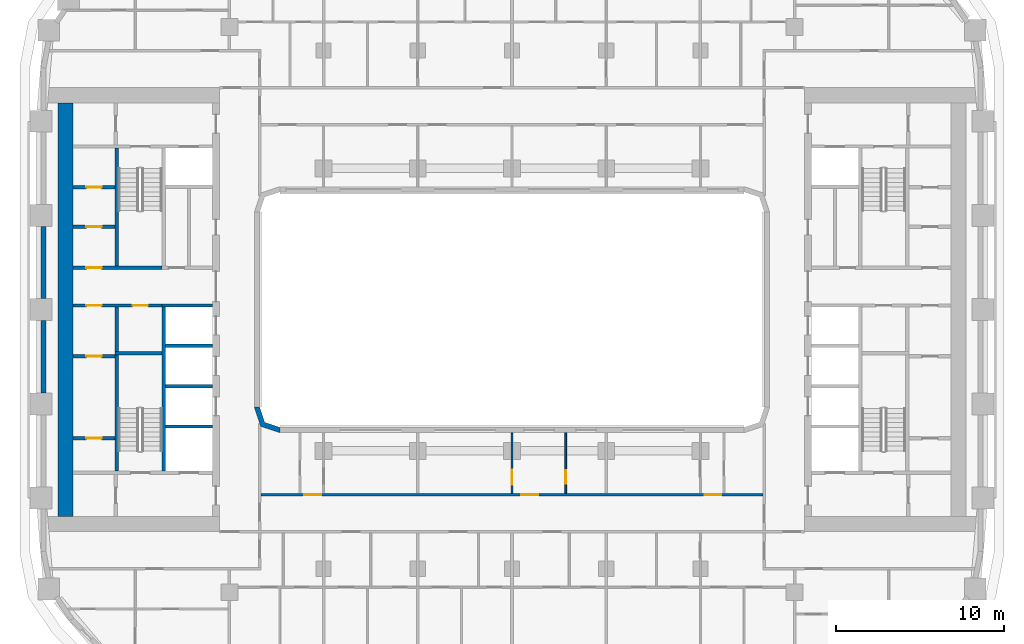
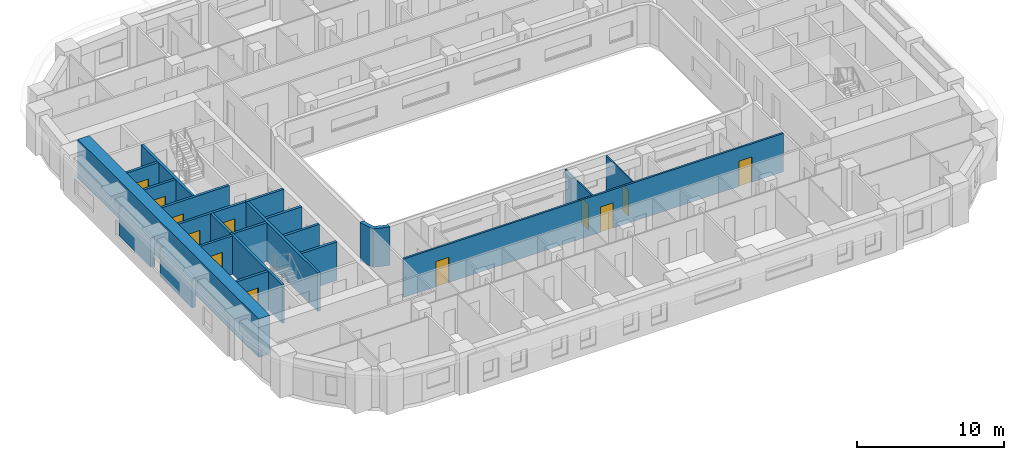
# One storey, part 4 of 22: 22 walls, 12 doors, 12 openings.
"""IFC4 building model written with IfcOpenShell, lengths in metres."""

from ifc_helpers import new_model, si_unit, direction, frame, frame_2d, origin, place, context, subcontext, project, spatial, polyline, rectangle, outline, extrude, material, layer, layer_set, type_object, element, fill, save


model = new_model("IFC4")

# Units and contexts
model_context = context("Model", 3, precision=1e-05, world=origin(), true_north=direction((0.0, 1.0)))
body_context = subcontext(model_context, "Body", "Model", "MODEL_VIEW")
ifc_project = project(units=[si_unit("LENGTHUNIT", "METRE"), si_unit("AREAUNIT", "SQUARE_METRE"), si_unit("VOLUMEUNIT", "CUBIC_METRE"), si_unit("PLANEANGLEUNIT", "RADIAN"), si_unit("MASSUNIT", "GRAM", prefix="KILO")], contexts=[model_context])

# Site, building, storey
site_placement = place(None, origin())
site = spatial("IfcSite", under=ifc_project, at=site_placement, CompositionType="ELEMENT")
building_placement = place(site_placement, origin())
building = spatial("IfcBuilding", under=site, at=building_placement, Name="Kiln Ring Residences", CompositionType="ELEMENT")
storey_placement = place(building_placement, frame((0.0, 0.0, 90.300048828125)))
storey = spatial("IfcBuildingStorey", under=building, at=storey_placement, Name="L22", CompositionType="ELEMENT", Elevation=90.300048828125)

# Wall
ifc_material_1 = material(Name="Gypsum board on steel studs", Category="steel")
ifc_layer_1 = layer(ifc_material_1, 0.199951171875)
ifc_layer_set_1 = layer_set([ifc_layer_1], Name="CORE-PARTITION-200")
wall_type_1 = type_object("IfcWallType", Name="CORE-PARTITION-200", PredefinedType="PARTITIONING", material=ifc_layer_set_1)
wall_1_placement = place(storey_placement, frame((-23.5, -2.5, 0.0), z_axis=(0.0, 0.0, 1.0), x_axis=(0.0, 1.0, 0.0)))
element("IfcWall", 1, at=wall_1_placement, inside=storey, type_object=wall_type_1, Name="Core partition west L22 1", PredefinedType="PARTITIONING", context=body_context, shape_type="SweptSolid", body=[
    extrude(rectangle(XDim=2.64990234375, YDim=0.199951171875, at=frame_2d((1.324951171875, 0.0))), origin(), (0.0, 0.0, 1.0), 3.199951171875),
])

# Wall, openings, doors
wall_2_placement = place(storey_placement, frame((-20.800048828125, 0.25, 0.0), z_axis=(0.0, 0.0, 1.0), x_axis=(-1.0, 0.0, 0.0)))
wall_2 = element("IfcWall", 2, at=wall_2_placement, inside=storey, type_object=wall_type_1, Name="Core partition west L22 2", PredefinedType="PARTITIONING", context=body_context, shape_type="SweptSolid", body=[
    extrude(rectangle(XDim=5.300048828125, YDim=0.199951171875, at=frame_2d((2.64990234375, 0.0))), origin(), (0.0, 0.0, 1.0), 3.199951171875),
])
opening_1_placement = place(wall_2_placement, frame((0.85009765625, 0.0, 0.0)))
opening_1 = element("IfcOpeningElement", 3, at=opening_1_placement, cuts=wall_2, Name="Opening L22-CW15", PredefinedType="OPENING", context=body_context, shape_type="SweptSolid", body=[
    extrude(rectangle(XDim=0.89990234375, YDim=2.10009765625, at=frame_2d((0.449951171875, 1.050048828125))), frame((0.0, 0.10986328125, 0.0), z_axis=(0.0, -1.0, 0.0), x_axis=(1.0, 0.0, 0.0)), (0.0, 0.0, 1.0), 0.219970703125),
])
opening_2_placement = place(wall_2_placement, frame((3.60009765625, 0.0, 0.0)))
opening_2 = element("IfcOpeningElement", 4, at=opening_2_placement, cuts=wall_2, Name="Opening L22-CW18", PredefinedType="OPENING", context=body_context, shape_type="SweptSolid", body=[
    extrude(rectangle(XDim=0.89990234375, YDim=2.10009765625, at=frame_2d((0.449951171875, 1.050048828125))), frame((0.0, 0.10986328125, 0.0), z_axis=(0.0, -1.0, 0.0), x_axis=(1.0, 0.0, 0.0)), (0.0, 0.0, 1.0), 0.219970703125),
])
ifc_material_2 = material(Name="Steel door leaf", Category="steel")
door_type_1 = type_object("IfcDoorType", Name="CORE-DOOR-ROOM", OperationType="SINGLE_SWING_LEFT", PredefinedType="DOOR", material=ifc_material_2)
door_1_placement = place(opening_1_placement, origin())
door_1 = element("IfcDoor", 5, at=door_1_placement, inside=storey, type_object=door_type_1, Name="Cleaner's store L22-CW15", OperationType="SINGLE_SWING_LEFT", OverallHeight=2.10009765625, OverallWidth=0.89990234375, PredefinedType="DOOR", context=body_context, shape_type="SweptSolid", body=[
    extrude(rectangle(XDim=0.89990234375, YDim=2.10009765625, at=frame_2d((0.449951171875, 1.050048828125))), frame((0.0, 0.02490234375, 0.0), z_axis=(0.0, -1.0, 0.0), x_axis=(1.0, 0.0, 0.0)), (0.0, 0.0, 1.0), 0.050048828125),
])
fill(opening_1, door_1)
door_2_placement = place(opening_2_placement, origin())
door_2 = element("IfcDoor", 6, at=door_2_placement, inside=storey, type_object=door_type_1, Name="Battery room L22-CW18", OperationType="SINGLE_SWING_RIGHT", OverallHeight=2.10009765625, OverallWidth=0.89990234375, PredefinedType="DOOR", context=body_context, shape_type="SweptSolid", body=[
    extrude(rectangle(XDim=0.89990234375, YDim=2.10009765625, at=frame_2d((0.449951171875, 1.050048828125))), frame((0.0, 0.02490234375, 0.0), z_axis=(0.0, -1.0, 0.0), x_axis=(1.0, 0.0, 0.0)), (0.0, 0.0, 1.0), 0.050048828125),
])
fill(opening_2, door_2)

# Wall, opening, door
wall_3_placement = place(storey_placement, frame((-23.60009765625, -7.64990234375, 0.0), z_axis=(0.0, 0.0, 1.0), x_axis=(-1.0, 0.0, 0.0)))
wall_3 = element("IfcWall", 7, at=wall_3_placement, inside=storey, type_object=wall_type_1, Name="Core partition west L22 6", PredefinedType="PARTITIONING", context=body_context, shape_type="SweptSolid", body=[
    extrude(rectangle(XDim=2.5, YDim=0.199951171875, at=frame_2d((1.25, 0.0))), origin(), (0.0, 0.0, 1.0), 3.199951171875),
])
opening_3_placement = place(wall_3_placement, frame((0.800048828125, 0.0, 0.0)))
opening_3 = element("IfcOpeningElement", 8, at=opening_3_placement, cuts=wall_3, Name="Opening L22-CW16", PredefinedType="OPENING", context=body_context, shape_type="SweptSolid", body=[
    extrude(rectangle(XDim=0.89990234375, YDim=2.10009765625, at=frame_2d((0.449951171875, 1.050048828125))), frame((0.0, 0.10986328125, 0.0), z_axis=(0.0, -1.0, 0.0), x_axis=(1.0, 0.0, 0.0)), (0.0, 0.0, 1.0), 0.219970703125),
])
door_3_placement = place(opening_3_placement, origin())
door_3 = element("IfcDoor", 9, at=door_3_placement, inside=storey, type_object=door_type_1, Name="Plant room L22-CW16", OperationType="SINGLE_SWING_LEFT", OverallHeight=2.10009765625, OverallWidth=0.89990234375, PredefinedType="DOOR", context=body_context, shape_type="SweptSolid", body=[
    extrude(rectangle(XDim=0.89990234375, YDim=2.10009765625, at=frame_2d((0.449951171875, 1.050048828125))), frame((0.0, 0.02490234375, 0.0), z_axis=(0.0, -1.0, 0.0), x_axis=(1.0, 0.0, 0.0)), (0.0, 0.0, 1.0), 0.050048828125),
])
fill(opening_3, door_3)

wall_4_placement = place(storey_placement, frame((-23.60009765625, -2.77490234375, 0.0), z_axis=(0.0, 0.0, 1.0), x_axis=(-1.0, 0.0, 0.0)))
wall_4 = element("IfcWall", 10, at=wall_4_placement, inside=storey, type_object=wall_type_1, Name="Core partition west L22 7", PredefinedType="PARTITIONING", context=body_context, shape_type="SweptSolid", body=[
    extrude(rectangle(XDim=2.5, YDim=0.199951171875, at=frame_2d((1.25, 0.0))), origin(), (0.0, 0.0, 1.0), 3.199951171875),
])
opening_4_placement = place(wall_4_placement, frame((0.800048828125, 0.0, 0.0)))
opening_4 = element("IfcOpeningElement", 11, at=opening_4_placement, cuts=wall_4, Name="Opening L22-CW17", PredefinedType="OPENING", context=body_context, shape_type="SweptSolid", body=[
    extrude(rectangle(XDim=0.89990234375, YDim=2.10009765625, at=frame_2d((0.449951171875, 1.050048828125))), frame((0.0, 0.10986328125, 0.0), z_axis=(0.0, -1.0, 0.0), x_axis=(1.0, 0.0, 0.0)), (0.0, 0.0, 1.0), 0.219970703125),
])
door_4_placement = place(opening_4_placement, origin())
door_4 = element("IfcDoor", 12, at=door_4_placement, inside=storey, type_object=door_type_1, Name="Battery room L22-CW17", OperationType="SINGLE_SWING_RIGHT", OverallHeight=2.10009765625, OverallWidth=0.89990234375, PredefinedType="DOOR", context=body_context, shape_type="SweptSolid", body=[
    extrude(rectangle(XDim=0.89990234375, YDim=2.10009765625, at=frame_2d((0.449951171875, 1.050048828125))), frame((0.0, 0.02490234375, 0.0), z_axis=(0.0, -1.0, 0.0), x_axis=(1.0, 0.0, 0.0)), (0.0, 0.0, 1.0), 0.050048828125),
])
fill(opening_4, door_4)

wall_5_placement = place(storey_placement, frame((-23.60009765625, 4.933349609375, 0.0), z_axis=(0.0, 0.0, 1.0), x_axis=(-1.0, 0.0, 0.0)))
wall_5 = element("IfcWall", 13, at=wall_5_placement, inside=storey, type_object=wall_type_1, Name="Core partition west L22 8", PredefinedType="PARTITIONING", context=body_context, shape_type="SweptSolid", body=[
    extrude(rectangle(XDim=2.5, YDim=0.199951171875, at=frame_2d((1.25, 0.0))), origin(), (0.0, 0.0, 1.0), 3.199951171875),
])
opening_5_placement = place(wall_5_placement, frame((0.800048828125, 0.0, 0.0)))
opening_5 = element("IfcOpeningElement", 14, at=opening_5_placement, cuts=wall_5, Name="Opening L22-CW19", PredefinedType="OPENING", context=body_context, shape_type="SweptSolid", body=[
    extrude(rectangle(XDim=0.89990234375, YDim=2.10009765625, at=frame_2d((0.449951171875, 1.050048828125))), frame((0.0, 0.10986328125, 0.0), z_axis=(0.0, -1.0, 0.0), x_axis=(1.0, 0.0, 0.0)), (0.0, 0.0, 1.0), 0.219970703125),
])
door_5_placement = place(opening_5_placement, origin())
door_5 = element("IfcDoor", 15, at=door_5_placement, inside=storey, type_object=door_type_1, Name="Electrical plant room L22-CW19", OperationType="SINGLE_SWING_RIGHT", OverallHeight=2.10009765625, OverallWidth=0.89990234375, PredefinedType="DOOR", context=body_context, shape_type="SweptSolid", body=[
    extrude(rectangle(XDim=0.89990234375, YDim=2.10009765625, at=frame_2d((0.449951171875, 1.050048828125))), frame((0.0, 0.02490234375, 0.0), z_axis=(0.0, -1.0, 0.0), x_axis=(1.0, 0.0, 0.0)), (0.0, 0.0, 1.0), 0.050048828125),
])
fill(opening_5, door_5)

wall_6_placement = place(storey_placement, frame((-23.60009765625, 7.2666015625, 0.0), z_axis=(0.0, 0.0, 1.0), x_axis=(-1.0, 0.0, 0.0)))
wall_6 = element("IfcWall", 16, at=wall_6_placement, inside=storey, type_object=wall_type_1, Name="Core partition west L22 9", PredefinedType="PARTITIONING", context=body_context, shape_type="SweptSolid", body=[
    extrude(rectangle(XDim=2.5, YDim=0.199951171875, at=frame_2d((1.25, 0.0))), origin(), (0.0, 0.0, 1.0), 3.199951171875),
])
opening_6_placement = place(wall_6_placement, frame((0.800048828125, 0.0, 0.0)))
opening_6 = element("IfcOpeningElement", 17, at=opening_6_placement, cuts=wall_6, Name="Opening L22-CW20", PredefinedType="OPENING", context=body_context, shape_type="SweptSolid", body=[
    extrude(rectangle(XDim=0.89990234375, YDim=2.10009765625, at=frame_2d((0.449951171875, 1.050048828125))), frame((0.0, 0.10986328125, 0.0), z_axis=(0.0, -1.0, 0.0), x_axis=(1.0, 0.0, 0.0)), (0.0, 0.0, 1.0), 0.219970703125),
])
door_6_placement = place(opening_6_placement, origin())
door_6 = element("IfcDoor", 18, at=door_6_placement, inside=storey, type_object=door_type_1, Name="Comms room L22-CW20", OperationType="SINGLE_SWING_LEFT", OverallHeight=2.10009765625, OverallWidth=0.89990234375, PredefinedType="DOOR", context=body_context, shape_type="SweptSolid", body=[
    extrude(rectangle(XDim=0.89990234375, YDim=2.10009765625, at=frame_2d((0.449951171875, 1.050048828125))), frame((0.0, 0.02490234375, 0.0), z_axis=(0.0, -1.0, 0.0), x_axis=(1.0, 0.0, 0.0)), (0.0, 0.0, 1.0), 0.050048828125),
])
fill(opening_6, door_6)

# Walls
ifc_material_3 = material(Name="Gypsum shaft wall system")
ifc_layer_2 = layer(ifc_material_3, 0.199951171875)
ifc_layer_set_2 = layer_set([ifc_layer_2], Name="CORE-SHAFT-WALL-200")
wall_type_2 = type_object("IfcWallType", Name="CORE-SHAFT-WALL-200", PredefinedType="PARTITIONING", material=ifc_layer_set_2)
for number, where, z_axis, x_axis, name in (
    (19, (-17.800048828125, -6.949951171875, 0.0), (0.0, 0.0, 1.0), (-1.0, 0.0, 0.0), "Core partition west L22 10"),
    (20, (-17.800048828125, -4.550048828125, 0.0), (0.0, 0.0, 1.0), (-1.0, 0.0, 0.0), "Core partition west L22 11"),
    (21, (-17.800048828125, -2.14990234375, 0.0), (0.0, 0.0, 1.0), (-1.0, 0.0, 0.0), "Core partition west L22 12"),
):
    element("IfcWall", number, at=place(storey_placement, frame(where, z_axis=z_axis, x_axis=x_axis)), inside=storey, type_object=wall_type_2, Name=name, PredefinedType="PARTITIONING", context=body_context, shape_type="SweptSolid", body=[
        extrude(rectangle(XDim=2.800048828125, YDim=0.199951171875, at=frame_2d((1.39990234375, 0.0))), origin(), (0.0, 0.0, 1.0), 3.199951171875),
    ])
wall_7_placement = place(storey_placement, frame((-17.800048828125, 0.25, 0.0), z_axis=(0.0, 0.0, 1.0), x_axis=(-1.0, 0.0, 0.0)))
element("IfcWall", 22, at=wall_7_placement, inside=storey, type_object=wall_type_2, Name="Core partition west L22 13", PredefinedType="PARTITIONING", context=body_context, shape_type="SweptSolid", body=[
    extrude(rectangle(XDim=3.0, YDim=0.199951171875, at=frame_2d((1.5, 0.0))), origin(), (0.0, 0.0, 1.0), 3.199951171875),
])
ifc_material_4 = material(Name="Concrete C40/50", Category="concrete")
ifc_layer_3 = layer(ifc_material_4, 0.199951171875)
ifc_layer_set_3 = layer_set([ifc_layer_3], Name="CORE-WALL-RC200")
wall_type_3 = type_object("IfcWallType", Name="CORE-WALL-RC200", PredefinedType="SHEAR", material=ifc_layer_set_3)
wall_8_placement = place(storey_placement, frame((-20.699951171875, -9.60009765625, 0.0), z_axis=(0.0, 0.0, 1.0), x_axis=(0.0, 1.0, 0.0)))
element("IfcWall", 23, at=wall_8_placement, inside=storey, type_object=wall_type_3, Name="Core wall west L22 2", PredefinedType="SHEAR", context=body_context, shape_type="SweptSolid", body=[
    extrude(rectangle(XDim=9.75, YDim=0.199951171875, at=frame_2d((4.875, 0.0))), origin(), (0.0, 0.0, 1.0), 3.199951171875),
])

# Wall, opening, door
wall_9_placement = place(storey_placement, frame((-20.800048828125, 2.5, 0.0), z_axis=(0.0, 0.0, 1.0), x_axis=(-1.0, 0.0, 0.0)))
wall_9 = element("IfcWall", 24, at=wall_9_placement, inside=storey, type_object=wall_type_3, Name="Core wall west L22 3", PredefinedType="SHEAR", context=body_context, shape_type="SweptSolid", body=[
    extrude(rectangle(XDim=5.300048828125, YDim=0.199951171875, at=frame_2d((2.64990234375, 0.0))), origin(), (0.0, 0.0, 1.0), 3.199951171875),
])
opening_7_placement = place(wall_9_placement, frame((3.60009765625, 0.0, 0.0)))
opening_7 = element("IfcOpeningElement", 25, at=opening_7_placement, cuts=wall_9, Name="Opening L22-CW21", PredefinedType="OPENING", context=body_context, shape_type="SweptSolid", body=[
    extrude(rectangle(XDim=0.89990234375, YDim=2.10009765625, at=frame_2d((0.449951171875, 1.050048828125))), frame((0.0, 0.10986328125, 0.0), z_axis=(0.0, -1.0, 0.0), x_axis=(1.0, 0.0, 0.0)), (0.0, 0.0, 1.0), 0.219970703125),
])
door_7_placement = place(opening_7_placement, origin())
door_7 = element("IfcDoor", 26, at=door_7_placement, inside=storey, type_object=door_type_1, Name="UPS room L22-CW21", OperationType="SINGLE_SWING_RIGHT", OverallHeight=2.10009765625, OverallWidth=0.89990234375, PredefinedType="DOOR", context=body_context, shape_type="SweptSolid", body=[
    extrude(rectangle(XDim=0.89990234375, YDim=2.10009765625, at=frame_2d((0.449951171875, 1.050048828125))), frame((0.0, 0.02490234375, 0.0), z_axis=(0.0, -1.0, 0.0), x_axis=(1.0, 0.0, 0.0)), (0.0, 0.0, 1.0), 0.050048828125),
])
fill(opening_7, door_7)

# Walls
wall_10_placement = place(storey_placement, frame((-23.5, 2.60009765625, 0.0), z_axis=(0.0, 0.0, 1.0), x_axis=(0.0, 1.0, 0.0)))
element("IfcWall", 27, at=wall_10_placement, inside=storey, type_object=wall_type_3, Name="Core wall west L22 10", PredefinedType="SHEAR", context=body_context, shape_type="SweptSolid", body=[
    extrude(rectangle(XDim=7.0, YDim=0.199951171875, at=frame_2d((3.5, 0.0))), origin(), (0.0, 0.0, 1.0), 3.199951171875),
])
wall_11_placement = place(storey_placement, frame((-23.5, -9.60009765625, 0.0), z_axis=(0.0, 0.0, 1.0), x_axis=(0.0, 1.0, 0.0)))
element("IfcWall", 28, at=wall_11_placement, inside=storey, type_object=wall_type_3, Name="Core wall west L22 11", PredefinedType="SHEAR", context=body_context, shape_type="SweptSolid", body=[
    extrude(rectangle(XDim=6.900146484375, YDim=0.199951171875, at=frame_2d((3.4501953125, 0.0))), origin(), (0.0, 0.0, 1.0), 3.199951171875),
])
wall_12_placement = place(storey_placement, frame((-20.800048828125, -2.60009765625, 0.0), z_axis=(0.0, 0.0, 1.0), x_axis=(-1.0, 0.0, 0.0)))
element("IfcWall", 29, at=wall_12_placement, inside=storey, type_object=wall_type_3, Name="Core wall west L22 12", PredefinedType="SHEAR", context=body_context, shape_type="SweptSolid", body=[
    extrude(rectangle(XDim=2.800048828125, YDim=0.199951171875, at=frame_2d((1.39990234375, 0.0))), origin(), (0.0, 0.0, 1.0), 3.199951171875),
])
ifc_material_5 = material(Name="Concrete C60/75", Category="concrete")
ifc_layer_4 = layer(ifc_material_5, 0.89990234375)
ifc_layer_set_4 = layer_set([ifc_layer_4], Name="CORE-WALL-RC900")
wall_type_4 = type_object("IfcWallType", Name="CORE-WALL-RC900", PredefinedType="SHEAR", material=ifc_layer_set_4)
wall_13_placement = place(storey_placement, frame((-26.550048828125, -12.300048828125, 0.0), z_axis=(0.0, 0.0, 1.0), x_axis=(0.0, 1.0, 0.0)))
element("IfcWall", 30, at=wall_13_placement, inside=storey, type_object=wall_type_4, Name="Core wall west L22 7", PredefinedType="SHEAR", context=body_context, shape_type="SweptSolid", body=[
    extrude(rectangle(XDim=24.60009765625, YDim=0.89990234375, at=frame_2d((12.300048828125, 0.0))), origin(), (0.0, 0.0, 1.0), 3.199951171875),
])
ifc_material_6 = material(Name="Brick masonry, dark clay brick", Category="masonry")
ifc_layer_5 = layer(ifc_material_6, 0.300048828125)
ifc_layer_set_5 = layer_set([ifc_layer_5], Name="EW-300 BRICK WALL")
wall_type_5 = type_object("IfcWallType", Name="EW-300 BRICK WALL", PredefinedType="SOLIDWALL", material=ifc_layer_set_5)
for number, where, z_axis, x_axis, name in (
    (31, (-27.85009765625, 4.949951171875, 0.0), (0.0, 0.0, 1.0), (0.0, -1.0, 0.0), "Facade wall L22 43"),
    (32, (-27.85009765625, -0.64990234375, 0.0), (0.0, 0.0, 1.0), (0.0, -1.0, 0.0), "Facade wall L22 44"),
):
    element("IfcWall", number, at=place(storey_placement, frame(where, z_axis=z_axis, x_axis=x_axis)), inside=storey, type_object=wall_type_5, Name=name, PredefinedType="SOLIDWALL", context=body_context, shape_type="SweptSolid", body=[
        extrude(rectangle(XDim=4.300048828125, YDim=0.300048828125, at=frame_2d((2.14990234375, 0.0))), origin(), (0.0, 0.0, 1.0), 2.39990234375),
    ])
wall_14_placement = place(storey_placement, origin())
element("IfcWall", 33, at=wall_14_placement, inside=storey, type_object=wall_type_5, Name="Corner wall L22 4", PredefinedType="SOLIDWALL", context=body_context, shape_type="SweptSolid", body=[
    extrude(outline(polyline([(-14.937255859375, -6.937255859375), (-13.8486328125, -7.300048828125), (-13.800048828125, -7.300048828125), (-13.800048828125, -7.0), (-14.699951171875, -6.699951171875), (-15.0, -5.800048828125), (-15.300048828125, -5.800048828125), (-15.300048828125, -5.8486328125), (-14.937255859375, -6.937255859375)])), origin(), (0.0, 0.0, 1.0), 3.199951171875),
])

# Wall, opening, door
ifc_material_7 = material(Name="Gypsum board on steel studs", Category="steel")
ifc_layer_6 = layer(ifc_material_7, 0.10009765625)
ifc_layer_set_6 = layer_set([ifc_layer_6], Name="PARTITION-100")
wall_type_6 = type_object("IfcWallType", Name="PARTITION-100", PredefinedType="PARTITIONING", material=ifc_layer_set_6)
wall_15_placement = place(storey_placement, frame((0.0, -10.925048828125, 0.0), z_axis=(0.0, 0.0, 1.0), x_axis=(0.0, 1.0, 0.0)))
wall_15 = element("IfcWall", 34, at=wall_15_placement, inside=storey, type_object=wall_type_6, Name="Partition 047", PredefinedType="PARTITIONING", context=body_context, shape_type="SweptSolid", body=[
    extrude(rectangle(XDim=3.60498046875, YDim=0.10009765625, at=frame_2d((1.802490234375, 0.0))), origin(), (0.0, 0.0, 1.0), 3.199951171875),
])
opening_8_placement = place(wall_15_placement, frame((0.5048828125, 0.0, 0.0)))
opening_8 = element("IfcOpeningElement", 35, at=opening_8_placement, cuts=wall_15, Name="Opening L22-D048", PredefinedType="OPENING", context=body_context, shape_type="SweptSolid", body=[
    extrude(rectangle(XDim=0.89990234375, YDim=2.10009765625, at=frame_2d((0.449951171875, 1.050048828125))), frame((0.0, 0.06005859375, 0.0), z_axis=(0.0, -1.0, 0.0), x_axis=(1.0, 0.0, 0.0)), (0.0, 0.0, 1.0), 0.1201171875),
])
ifc_material_8 = material(Name="Timber door leaf", Category="wood")
door_type_2 = type_object("IfcDoorType", Name="FLAT-DOOR-900-PL", OperationType="SINGLE_SWING_LEFT", PredefinedType="DOOR", material=ifc_material_8)
door_8_placement = place(opening_8_placement, origin())
door_8 = element("IfcDoor", 36, at=door_8_placement, inside=storey, type_object=door_type_2, Name="Door L22-D048", OperationType="SINGLE_SWING_RIGHT", OverallHeight=2.10009765625, OverallWidth=0.89990234375, PredefinedType="DOOR", context=body_context, shape_type="SweptSolid", body=[
    extrude(rectangle(XDim=0.89990234375, YDim=2.10009765625, at=frame_2d((0.449951171875, 1.050048828125))), frame((0.0, 0.02490234375, 0.0), z_axis=(0.0, -1.0, 0.0), x_axis=(1.0, 0.0, 0.0)), (0.0, 0.0, 1.0), 0.050048828125),
])
fill(opening_8, door_8)

wall_16_placement = place(storey_placement, frame((3.199951171875, -10.925048828125, 0.0), z_axis=(0.0, 0.0, 1.0), x_axis=(0.0, 1.0, 0.0)))
wall_16 = element("IfcWall", 37, at=wall_16_placement, inside=storey, type_object=wall_type_6, Name="Partition 054", PredefinedType="PARTITIONING", context=body_context, shape_type="SweptSolid", body=[
    extrude(rectangle(XDim=3.60498046875, YDim=0.10009765625, at=frame_2d((1.802490234375, 0.0))), origin(), (0.0, 0.0, 1.0), 3.199951171875),
])
opening_9_placement = place(wall_16_placement, frame((0.575927734375, 0.0, 0.0)))
opening_9 = element("IfcOpeningElement", 38, at=opening_9_placement, cuts=wall_16, Name="Opening L22-D047", PredefinedType="OPENING", context=body_context, shape_type="SweptSolid", body=[
    extrude(rectangle(XDim=0.800048828125, YDim=2.10009765625, at=frame_2d((0.39990234375, 1.050048828125))), frame((0.0, 0.06005859375, 0.0), z_axis=(0.0, -1.0, 0.0), x_axis=(1.0, 0.0, 0.0)), (0.0, 0.0, 1.0), 0.1201171875),
])
ifc_material_9 = material(Name="Timber door leaf", Category="wood")
door_type_3 = type_object("IfcDoorType", Name="FLAT-DOOR-800-PL", OperationType="SINGLE_SWING_LEFT", PredefinedType="DOOR", material=ifc_material_9)
door_9_placement = place(opening_9_placement, origin())
door_9 = element("IfcDoor", 39, at=door_9_placement, inside=storey, type_object=door_type_3, Name="Door L22-D047", OperationType="SINGLE_SWING_LEFT", OverallHeight=2.10009765625, OverallWidth=0.800048828125, PredefinedType="DOOR", context=body_context, shape_type="SweptSolid", body=[
    extrude(rectangle(XDim=0.800048828125, YDim=2.10009765625, at=frame_2d((0.39990234375, 1.050048828125))), frame((0.0, 0.02490234375, 0.0), z_axis=(0.0, -1.0, 0.0), x_axis=(1.0, 0.0, 0.0)), (0.0, 0.0, 1.0), 0.050048828125),
])
fill(opening_9, door_9)

# Wall, openings, doors
ifc_material_10 = material(Name="Brick masonry partition", Category="masonry")
ifc_layer_7 = layer(ifc_material_10, 0.14990234375)
ifc_layer_set_7 = layer_set([ifc_layer_7], Name="PARTITION-150-ei60")
wall_type_7 = type_object("IfcWallType", Name="PARTITION-150-ei60", PredefinedType="PARTITIONING", material=ifc_layer_set_7)
wall_17_placement = place(storey_placement, frame((-14.925048828125, -11.0, 0.0), z_axis=(0.0, 0.0, 1.0), x_axis=(1.0, 0.0, 0.0)))
wall_17 = element("IfcWall", 40, at=wall_17_placement, inside=storey, type_object=wall_type_7, Name="Partition 006", PredefinedType="PARTITIONING", context=body_context, shape_type="SweptSolid", body=[
    extrude(rectangle(XDim=29.85009765625, YDim=0.14990234375, at=frame_2d((14.925048828125, 0.0))), origin(), (0.0, 0.0, 1.0), 3.199951171875),
])
opening_10_placement = place(wall_17_placement, frame((2.574951171875, 0.0, 0.0)))
opening_10 = element("IfcOpeningElement", 41, at=opening_10_placement, cuts=wall_17, Name="Opening L22-D043", PredefinedType="OPENING", context=body_context, shape_type="SweptSolid", body=[
    extrude(rectangle(XDim=1.0, YDim=2.10009765625, at=frame_2d((0.5, 1.050048828125))), frame((0.0, 0.0849609375, 0.0), z_axis=(0.0, -1.0, 0.0), x_axis=(1.0, 0.0, 0.0)), (0.0, 0.0, 1.0), 0.169921875),
])
opening_11_placement = place(wall_17_placement, frame((15.47509765625, 0.0, 0.0)))
opening_11 = element("IfcOpeningElement", 42, at=opening_11_placement, cuts=wall_17, Name="Opening L22-D046", PredefinedType="OPENING", context=body_context, shape_type="SweptSolid", body=[
    extrude(rectangle(XDim=1.0, YDim=2.10009765625, at=frame_2d((0.5, 1.050048828125))), frame((0.0, 0.0849609375, 0.0), z_axis=(0.0, -1.0, 0.0), x_axis=(1.0, 0.0, 0.0)), (0.0, 0.0, 1.0), 0.169921875),
])
opening_12_placement = place(wall_17_placement, frame((26.375, 0.0, 0.0)))
opening_12 = element("IfcOpeningElement", 43, at=opening_12_placement, cuts=wall_17, Name="Opening L22-D049", PredefinedType="OPENING", context=body_context, shape_type="SweptSolid", body=[
    extrude(rectangle(XDim=1.0, YDim=2.10009765625, at=frame_2d((0.5, 1.050048828125))), frame((0.0, 0.0849609375, 0.0), z_axis=(0.0, -1.0, 0.0), x_axis=(1.0, 0.0, 0.0)), (0.0, 0.0, 1.0), 0.169921875),
])
ifc_material_11 = material(Name="Steel faced fire door leaf", Category="steel")
door_type_4 = type_object("IfcDoorType", Name="FLAT-DOOR-1000-FR", OperationType="SINGLE_SWING_LEFT", PredefinedType="DOOR", material=ifc_material_11)
door_10_placement = place(opening_10_placement, origin())
door_10 = element("IfcDoor", 44, at=door_10_placement, inside=storey, type_object=door_type_4, Name="Door L22-D043", OperationType="SINGLE_SWING_LEFT", OverallHeight=2.10009765625, OverallWidth=1.0, PredefinedType="DOOR", context=body_context, shape_type="SweptSolid", body=[
    extrude(rectangle(XDim=1.0, YDim=2.10009765625, at=frame_2d((0.5, 1.050048828125))), frame((0.0, 0.02490234375, 0.0), z_axis=(0.0, -1.0, 0.0), x_axis=(1.0, 0.0, 0.0)), (0.0, 0.0, 1.0), 0.050048828125),
])
fill(opening_10, door_10)
door_11_placement = place(opening_11_placement, origin())
door_11 = element("IfcDoor", 45, at=door_11_placement, inside=storey, type_object=door_type_4, Name="Door L22-D046", OperationType="SINGLE_SWING_RIGHT", OverallHeight=2.10009765625, OverallWidth=1.0, PredefinedType="DOOR", context=body_context, shape_type="SweptSolid", body=[
    extrude(rectangle(XDim=1.0, YDim=2.10009765625, at=frame_2d((0.5, 1.050048828125))), frame((0.0, 0.02490234375, 0.0), z_axis=(0.0, -1.0, 0.0), x_axis=(1.0, 0.0, 0.0)), (0.0, 0.0, 1.0), 0.050048828125),
])
fill(opening_11, door_11)
door_12_placement = place(opening_12_placement, origin())
door_12 = element("IfcDoor", 46, at=door_12_placement, inside=storey, type_object=door_type_4, Name="Door L22-D049", OperationType="SINGLE_SWING_LEFT", OverallHeight=2.10009765625, OverallWidth=1.0, PredefinedType="DOOR", context=body_context, shape_type="SweptSolid", body=[
    extrude(rectangle(XDim=1.0, YDim=2.10009765625, at=frame_2d((0.5, 1.050048828125))), frame((0.0, 0.02490234375, 0.0), z_axis=(0.0, -1.0, 0.0), x_axis=(1.0, 0.0, 0.0)), (0.0, 0.0, 1.0), 0.050048828125),
])
fill(opening_12, door_12)

save(model, "model.ifc")
